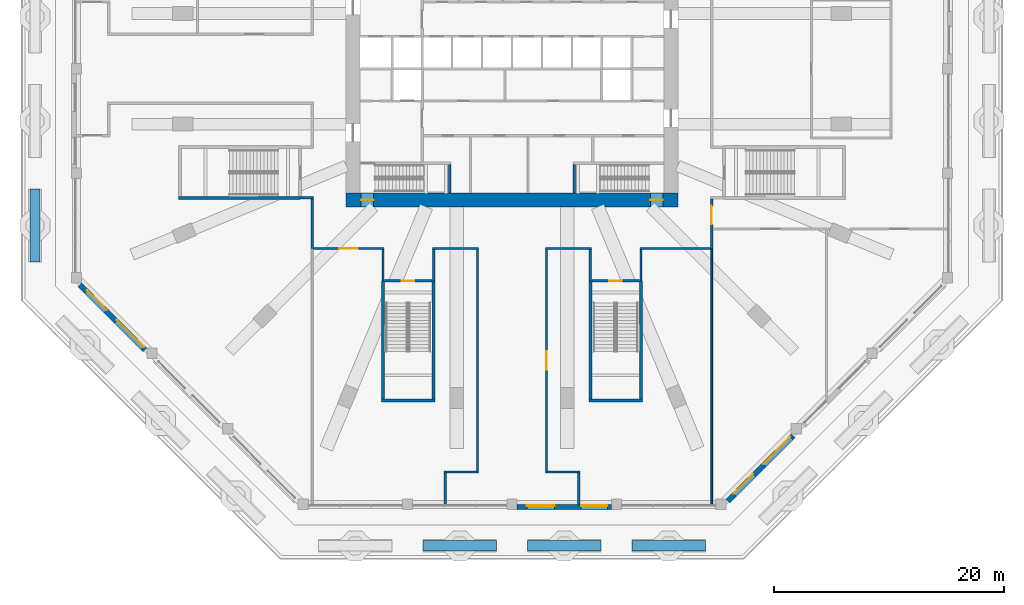
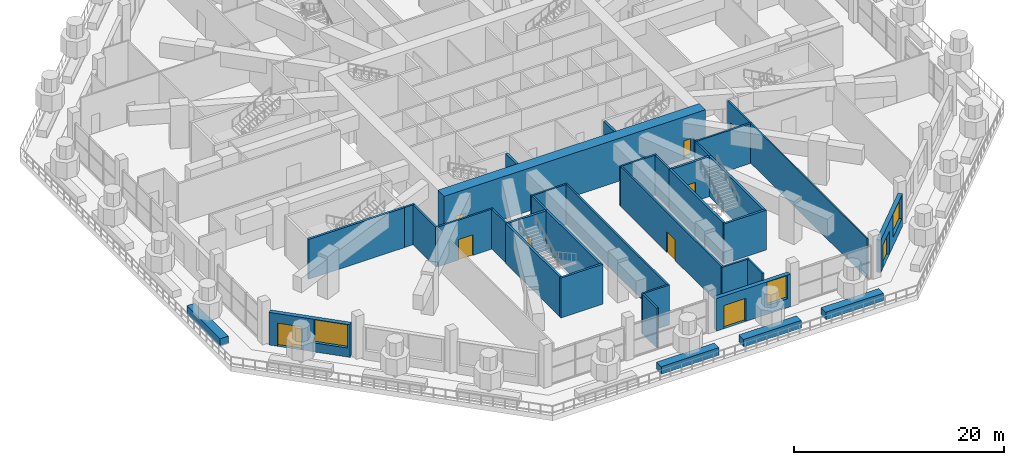
# One storey, part 14 of 25: 37 walls, 10 doors, 3 windows, 13 openings.
"""IFC4 building model written with IfcOpenShell, lengths in metres."""

from ifc_helpers import new_model, si_unit, direction, frame, frame_2d, origin, place, context, subcontext, project, spatial, rectangle, extrude, material, layer, layer_set, type_object, element, fill, save


model = new_model("IFC4")

# Units and contexts
model_context = context("Model", 3, precision=1e-05, world=origin(), true_north=direction((0.0, 1.0)))
body_context = subcontext(model_context, "Body", "Model", "MODEL_VIEW")
ifc_project = project(units=[si_unit("LENGTHUNIT", "METRE"), si_unit("AREAUNIT", "SQUARE_METRE"), si_unit("VOLUMEUNIT", "CUBIC_METRE"), si_unit("PLANEANGLEUNIT", "RADIAN"), si_unit("MASSUNIT", "GRAM", prefix="KILO")], contexts=[model_context])

# Site, building, storey
site_placement = place(None, origin())
site = spatial("IfcSite", under=ifc_project, at=site_placement, CompositionType="ELEMENT")
building_placement = place(site_placement, origin())
building = spatial("IfcBuilding", under=site, at=building_placement, Name="Msitu Wima Residences", CompositionType="ELEMENT")
storey_placement = place(building_placement, frame((0.0, 0.0, 11.0)))
storey = spatial("IfcBuildingStorey", under=building, at=storey_placement, Name="L02", CompositionType="ELEMENT", Elevation=11.0)

# Wall, openings, door, window
ifc_material_1 = material(Name="Brick (red buff mix), cavity wall of two leaves", Category="masonry")
ifc_layer_1 = layer(ifc_material_1, 0.449951171875)
ifc_layer_set_1 = layer_set([ifc_layer_1], Name="Brick (red buff mix), cavity wall of two leaves")
wall_type_1 = type_object("IfcWallType", Name="Brick infill wall BW450 podium", PredefinedType="ELEMENTEDWALL", material=ifc_layer_set_1)
wall_1_placement = place(storey_placement, frame((-37.509033203125, -18.737060546875, 0.0), z_axis=(0.0, 0.0, 1.0), x_axis=(0.707106781187, -0.707106781187, 0.0)))
wall_1 = element("IfcWall", 1, at=wall_1_placement, inside=storey, type_object=wall_type_1, Name="Brick infill wall L02 SW0", PredefinedType="ELEMENTEDWALL", context=body_context, shape_type="SweptSolid", body=[
    extrude(rectangle(XDim=8.00048828125, YDim=0.449951171875, at=frame_2d((4.000244140625, 0.0))), origin(), (0.0, 0.0, 1.0), 3.800048828125),
])
opening_1_placement = place(wall_1_placement, frame((0.80029296875, 0.0, 0.0)))
opening_1 = element("IfcOpeningElement", 2, at=opening_1_placement, cuts=wall_1, Name="Opening D02.007", PredefinedType="OPENING", context=body_context, shape_type="SweptSolid", body=[
    extrude(rectangle(XDim=2.39990234375, YDim=2.699951171875, at=frame_2d((1.199951171875, 1.35009765625))), frame((0.0, 0.23486328125, 0.0), z_axis=(0.0, -1.0, 0.0), x_axis=(1.0, 0.0, 0.0)), (0.0, 0.0, 1.0), 0.469970703125),
])
opening_2_placement = place(wall_1_placement, frame((4.450439453125, 0.0, 1.050048828125)))
opening_2 = element("IfcOpeningElement", 3, at=opening_2_placement, cuts=wall_1, Name="Opening W02.021", PredefinedType="OPENING", context=body_context, shape_type="SweptSolid", body=[
    extrude(rectangle(XDim=3.300048828125, YDim=2.699951171875, at=frame_2d((1.64990234375, 1.35009765625))), frame((0.0, 0.23486328125, 0.0), z_axis=(0.0, -1.0, 0.0), x_axis=(1.0, 0.0, 0.0)), (0.0, 0.0, 1.0), 0.469970703125),
])
ifc_material_2 = material(Name="Anodised aluminium, bronze finish, clear low-emissivity double glazing", Category="aluminium")
door_type_1 = type_object("IfcDoorType", Name="Balcony door D2400x2700", OperationType="SLIDING_TO_LEFT", PredefinedType="DOOR", material=ifc_material_2)
door_1_placement = place(opening_1_placement, origin())
door_1 = element("IfcDoor", 4, at=door_1_placement, inside=storey, type_object=door_type_1, Name="Terrace door L02 SW0", OperationType="SINGLE_SWING_LEFT", OverallHeight=2.699951171875, OverallWidth=2.39990234375, PredefinedType="DOOR", context=body_context, shape_type="SweptSolid", body=[
    extrude(rectangle(XDim=2.39990234375, YDim=2.699951171875, at=frame_2d((1.199951171875, 1.35009765625))), frame((0.0, 0.1298828125, 0.0), z_axis=(0.0, -1.0, 0.0), x_axis=(1.0, 0.0, 0.0)), (0.0, 0.0, 1.0), 0.050048828125),
])
fill(opening_1, door_1)
window_type_1 = type_object("IfcWindowType", Name="Window W3300x2700", PartitioningType="DOUBLE_PANEL_VERTICAL", PredefinedType="WINDOW", material=ifc_material_2)
window_1_placement = place(opening_2_placement, origin())
window_1 = element("IfcWindow", 5, at=window_1_placement, inside=storey, type_object=window_type_1, Name="Window L02 SW0.2", OverallHeight=2.699951171875, OverallWidth=3.300048828125, PartitioningType="SINGLE_PANEL", PredefinedType="WINDOW", context=body_context, shape_type="SweptSolid", body=[
    extrude(rectangle(XDim=3.300048828125, YDim=2.699951171875, at=frame_2d((1.64990234375, 1.35009765625))), frame((0.0, 0.135009765625, 0.0), z_axis=(0.0, -1.0, 0.0), x_axis=(1.0, 0.0, 0.0)), (0.0, 0.0, 1.0), 0.06005859375),
])
fill(opening_2, window_1)

wall_2_placement = place(storey_placement, frame((0.449951171875, -38.02490234375, 0.0), z_axis=(0.0, 0.0, 1.0), x_axis=(1.0, 0.0, 0.0)))
wall_2 = element("IfcWall", 6, at=wall_2_placement, inside=storey, type_object=wall_type_1, Name="Brick infill wall L02 S2", PredefinedType="ELEMENTEDWALL", context=body_context, shape_type="SweptSolid", body=[
    extrude(rectangle(XDim=8.1640625, YDim=0.449951171875, at=frame_2d((4.08203125, 0.0))), origin(), (0.0, 0.0, 1.0), 3.800048828125),
])
opening_3_placement = place(wall_2_placement, frame((0.841064453125, 0.0, 0.0)))
opening_3 = element("IfcOpeningElement", 7, at=opening_3_placement, cuts=wall_2, Name="Opening D02.005", PredefinedType="OPENING", context=body_context, shape_type="SweptSolid", body=[
    extrude(rectangle(XDim=2.39990234375, YDim=2.699951171875, at=frame_2d((1.199951171875, 1.35009765625))), frame((0.0, 0.23486328125, 0.0), z_axis=(0.0, -1.0, 0.0), x_axis=(1.0, 0.0, 0.0)), (0.0, 0.0, 1.0), 0.469970703125),
])
opening_4_placement = place(wall_2_placement, frame((5.550048828125, 0.0, 1.050048828125)))
opening_4 = element("IfcOpeningElement", 8, at=opening_4_placement, cuts=wall_2, Name="Opening W02.015", PredefinedType="OPENING", context=body_context, shape_type="SweptSolid", body=[
    extrude(rectangle(XDim=2.280029296875, YDim=2.699951171875, at=frame_2d((1.14013671875, 1.35009765625))), frame((0.0, 0.23486328125, 0.0), z_axis=(0.0, -1.0, 0.0), x_axis=(1.0, 0.0, 0.0)), (0.0, 0.0, 1.0), 0.469970703125),
])
door_2_placement = place(opening_3_placement, origin())
door_2 = element("IfcDoor", 9, at=door_2_placement, inside=storey, type_object=door_type_1, Name="Terrace door L02 S2", OperationType="SINGLE_SWING_LEFT", OverallHeight=2.699951171875, OverallWidth=2.39990234375, PredefinedType="DOOR", context=body_context, shape_type="SweptSolid", body=[
    extrude(rectangle(XDim=2.39990234375, YDim=2.699951171875, at=frame_2d((1.199951171875, 1.35009765625))), frame((0.0, 0.1298828125, 0.0), z_axis=(0.0, -1.0, 0.0), x_axis=(1.0, 0.0, 0.0)), (0.0, 0.0, 1.0), 0.050048828125),
])
fill(opening_3, door_2)
window_type_2 = type_object("IfcWindowType", Name="Window W2280x2700", PartitioningType="DOUBLE_PANEL_VERTICAL", PredefinedType="WINDOW", material=ifc_material_2)
window_2_placement = place(opening_4_placement, origin())
window_2 = element("IfcWindow", 10, at=window_2_placement, inside=storey, type_object=window_type_2, Name="Window L02 S2.2b", OverallHeight=2.699951171875, OverallWidth=2.280029296875, PartitioningType="SINGLE_PANEL", PredefinedType="WINDOW", context=body_context, shape_type="SweptSolid", body=[
    extrude(rectangle(XDim=2.280029296875, YDim=2.699951171875, at=frame_2d((1.14013671875, 1.35009765625))), frame((0.0, 0.135009765625, 0.0), z_axis=(0.0, -1.0, 0.0), x_axis=(1.0, 0.0, 0.0)), (0.0, 0.0, 1.0), 0.06005859375),
])
fill(opening_4, window_2)

wall_3_placement = place(storey_placement, frame((18.737060546875, -37.509033203125, 0.0), z_axis=(0.0, 0.0, 1.0), x_axis=(0.707106781187, 0.707106781187, 0.0)))
wall_3 = element("IfcWall", 11, at=wall_3_placement, inside=storey, type_object=wall_type_1, Name="Brick infill wall L02 SE0", PredefinedType="ELEMENTEDWALL", context=body_context, shape_type="SweptSolid", body=[
    extrude(rectangle(XDim=8.00048828125, YDim=0.449951171875, at=frame_2d((4.000244140625, 0.0))), origin(), (0.0, 0.0, 1.0), 3.800048828125),
])
opening_5_placement = place(wall_3_placement, frame((0.80029296875, 0.0, 0.0)))
opening_5 = element("IfcOpeningElement", 12, at=opening_5_placement, cuts=wall_3, Name="Opening D02.006", PredefinedType="OPENING", context=body_context, shape_type="SweptSolid", body=[
    extrude(rectangle(XDim=2.39990234375, YDim=2.699951171875, at=frame_2d((1.199951171875, 1.35009765625))), frame((0.0, 0.23486328125, 0.0), z_axis=(0.0, -1.0, 0.0), x_axis=(1.0, 0.0, 0.0)), (0.0, 0.0, 1.0), 0.469970703125),
])
opening_6_placement = place(wall_3_placement, frame((4.450439453125, 0.0, 1.050048828125)))
opening_6 = element("IfcOpeningElement", 13, at=opening_6_placement, cuts=wall_3, Name="Opening W02.016", PredefinedType="OPENING", context=body_context, shape_type="SweptSolid", body=[
    extrude(rectangle(XDim=3.300048828125, YDim=2.699951171875, at=frame_2d((1.64990234375, 1.35009765625))), frame((0.0, 0.23486328125, 0.0), z_axis=(0.0, -1.0, 0.0), x_axis=(1.0, 0.0, 0.0)), (0.0, 0.0, 1.0), 0.469970703125),
])
door_3_placement = place(opening_5_placement, origin())
door_3 = element("IfcDoor", 14, at=door_3_placement, inside=storey, type_object=door_type_1, Name="Terrace door L02 SE0", OperationType="SINGLE_SWING_LEFT", OverallHeight=2.699951171875, OverallWidth=2.39990234375, PredefinedType="DOOR", context=body_context, shape_type="SweptSolid", body=[
    extrude(rectangle(XDim=2.39990234375, YDim=2.699951171875, at=frame_2d((1.199951171875, 1.35009765625))), frame((0.0, 0.1298828125, 0.0), z_axis=(0.0, -1.0, 0.0), x_axis=(1.0, 0.0, 0.0)), (0.0, 0.0, 1.0), 0.050048828125),
])
fill(opening_5, door_3)
window_3_placement = place(opening_6_placement, origin())
window_3 = element("IfcWindow", 15, at=window_3_placement, inside=storey, type_object=window_type_1, Name="Window L02 SE0.2", OverallHeight=2.699951171875, OverallWidth=3.300048828125, PartitioningType="SINGLE_PANEL", PredefinedType="WINDOW", context=body_context, shape_type="SweptSolid", body=[
    extrude(rectangle(XDim=3.300048828125, YDim=2.699951171875, at=frame_2d((1.64990234375, 1.35009765625))), frame((0.0, 0.135009765625, 0.0), z_axis=(0.0, -1.0, 0.0), x_axis=(1.0, 0.0, 0.0)), (0.0, 0.0, 1.0), 0.06005859375),
])
fill(opening_6, window_3)

# Wall, openings, doors
ifc_material_3 = material(Name="Concrete C80/95", Category="concrete")
ifc_layer_2 = layer(ifc_material_3, 1.199951171875)
ifc_layer_set_2 = layer_set([ifc_layer_2], Name="Concrete C80/95")
wall_type_2 = type_object("IfcWallType", Name="Core wall CW1200 C80/95", PredefinedType="SHEAR", material=ifc_layer_set_2)
wall_4_placement = place(storey_placement, frame((-14.39990234375, -11.39990234375, 0.0), z_axis=(0.0, 0.0, 1.0), x_axis=(1.0, 0.0, 0.0)))
wall_4 = element("IfcWall", 16, at=wall_4_placement, inside=storey, type_object=wall_type_2, Name="Core wall", PredefinedType="SHEAR", context=body_context, shape_type="SweptSolid", body=[
    extrude(rectangle(XDim=28.7998046875, YDim=1.199951171875, at=frame_2d((14.39990234375, 0.0))), origin(), (0.0, 0.0, 1.0), 5.0),
])
opening_7_placement = place(wall_4_placement, frame((1.300048828125, 0.0, 0.0)))
opening_7 = element("IfcOpeningElement", 17, at=opening_7_placement, cuts=wall_4, Name="Opening D02.065", PredefinedType="OPENING", context=body_context, shape_type="SweptSolid", body=[
    extrude(rectangle(XDim=1.10009765625, YDim=2.199951171875, at=frame_2d((0.550048828125, 1.10009765625))), frame((0.0, 0.60986328125, 0.0), z_axis=(0.0, -1.0, 0.0), x_axis=(1.0, 0.0, 0.0)), (0.0, 0.0, 1.0), 1.219970703125),
])
opening_8_placement = place(wall_4_placement, frame((26.39990234375, 0.0, 0.0)))
opening_8 = element("IfcOpeningElement", 18, at=opening_8_placement, cuts=wall_4, Name="Opening D02.067", PredefinedType="OPENING", context=body_context, shape_type="SweptSolid", body=[
    extrude(rectangle(XDim=1.10009765625, YDim=2.199951171875, at=frame_2d((0.550048828125, 1.10009765625))), frame((0.0, 0.60986328125, 0.0), z_axis=(0.0, -1.0, 0.0), x_axis=(1.0, 0.0, 0.0)), (0.0, 0.0, 1.0), 1.219970703125),
])
ifc_material_4 = material(Name="Steel door, fire resisting, panic bar", Category="steel")
door_type_2 = type_object("IfcDoorType", Name="Stair door D06 1100x2200", OperationType="SINGLE_SWING_LEFT", PredefinedType="DOOR", material=ifc_material_4)
door_4_placement = place(opening_7_placement, origin())
door_4 = element("IfcDoor", 19, at=door_4_placement, inside=storey, type_object=door_type_2, Name="Stair door", OperationType="SINGLE_SWING_LEFT", OverallHeight=2.199951171875, OverallWidth=1.10009765625, PredefinedType="DOOR", context=body_context, shape_type="SweptSolid", body=[
    extrude(rectangle(XDim=1.10009765625, YDim=2.199951171875, at=frame_2d((0.550048828125, 1.10009765625))), frame((0.0, 0.02490234375, 0.0), z_axis=(0.0, -1.0, 0.0), x_axis=(1.0, 0.0, 0.0)), (0.0, 0.0, 1.0), 0.050048828125),
])
fill(opening_7, door_4)
door_5_placement = place(opening_8_placement, origin())
door_5 = element("IfcDoor", 20, at=door_5_placement, inside=storey, type_object=door_type_2, Name="Stair door", OperationType="SINGLE_SWING_RIGHT", OverallHeight=2.199951171875, OverallWidth=1.10009765625, PredefinedType="DOOR", context=body_context, shape_type="SweptSolid", body=[
    extrude(rectangle(XDim=1.10009765625, YDim=2.199951171875, at=frame_2d((0.550048828125, 1.10009765625))), frame((0.0, 0.02490234375, 0.0), z_axis=(0.0, -1.0, 0.0), x_axis=(1.0, 0.0, 0.0)), (0.0, 0.0, 1.0), 0.050048828125),
])
fill(opening_8, door_5)

# Walls
ifc_material_5 = material(Name="Plaster")
ifc_layer_3 = layer(ifc_material_5, 0.011962890625, Name="Plaster")
ifc_material_6 = material(Name="Concrete blockwork", Category="masonry")
ifc_layer_4 = layer(ifc_material_6, 0.176025390625, Name="Concrete blockwork")
ifc_layer_5 = layer(ifc_material_5, 0.011962890625, Name="Plaster")
ifc_layer_set_3 = layer_set([ifc_layer_3, ifc_layer_4, ifc_layer_5], Name="Concrete blockwork")
wall_type_3 = type_object("IfcWallType", Name="Corridor wall FW200", PredefinedType="PARTITIONING", material=ifc_layer_set_3)
wall_5_placement = place(storey_placement, frame((-18.39990234375, -11.199951171875, 0.0), z_axis=(0.0, 0.0, 1.0), x_axis=(1.0, 0.0, 0.0)))
element("IfcWall", 21, at=wall_5_placement, inside=storey, type_object=wall_type_3, Name="Corridor wall", PredefinedType="PARTITIONING", context=body_context, shape_type="SweptSolid", body=[
    extrude(rectangle(XDim=1.171875, YDim=0.199951171875, at=frame_2d((0.5859375, 0.0))), origin(), (0.0, 0.0, 1.0), 4.64990234375),
])
wall_6_placement = place(storey_placement, frame((-17.327880859375, -15.60009765625, 0.0), z_axis=(0.0, 0.0, 1.0), x_axis=(0.0, 1.0, 0.0)))
element("IfcWall", 22, at=wall_6_placement, inside=storey, type_object=wall_type_3, Name="Corridor wall", PredefinedType="PARTITIONING", context=body_context, shape_type="SweptSolid", body=[
    extrude(rectangle(XDim=4.300048828125, YDim=0.199951171875, at=frame_2d((2.14990234375, 0.0))), origin(), (0.0, 0.0, 1.0), 4.64990234375),
])

# Wall, opening, door
wall_7_placement = place(storey_placement, frame((-17.22802734375, -15.60009765625, 0.0), z_axis=(0.0, 0.0, 1.0), x_axis=(1.0, 0.0, 0.0)))
wall_7 = element("IfcWall", 23, at=wall_7_placement, inside=storey, type_object=wall_type_3, Name="Corridor wall", PredefinedType="PARTITIONING", context=body_context, shape_type="SweptSolid", body=[
    extrude(rectangle(XDim=6.1279296875, YDim=0.199951171875, at=frame_2d((3.06396484375, 0.0))), origin(), (0.0, 0.0, 1.0), 4.64990234375),
])
opening_9_placement = place(wall_7_placement, frame((2.25, 0.0, 0.0)))
opening_9 = element("IfcOpeningElement", 24, at=opening_9_placement, cuts=wall_7, Name="Opening D02.041", PredefinedType="OPENING", context=body_context, shape_type="SweptSolid", body=[
    extrude(rectangle(XDim=1.60009765625, YDim=2.39990234375, at=frame_2d((0.800048828125, 1.199951171875))), frame((0.0, 0.10986328125, 0.0), z_axis=(0.0, -1.0, 0.0), x_axis=(1.0, 0.0, 0.0)), (0.0, 0.0, 1.0), 0.219970703125),
])
ifc_material_7 = material(Name="Black aluminium glazed door", Category="aluminium")
door_type_3 = type_object("IfcDoorType", Name="Amenity door D10 1600x2400", OperationType="DOUBLE_DOOR_SINGLE_SWING", PredefinedType="DOOR", material=ifc_material_7)
door_6_placement = place(opening_9_placement, origin())
door_6 = element("IfcDoor", 25, at=door_6_placement, inside=storey, type_object=door_type_3, Name="Amenity door", OperationType="DOUBLE_DOOR_SINGLE_SWING", OverallHeight=2.39990234375, OverallWidth=1.60009765625, PredefinedType="DOOR", context=body_context, shape_type="SweptSolid", body=[
    extrude(rectangle(XDim=1.60009765625, YDim=2.39990234375, at=frame_2d((0.800048828125, 1.199951171875))), frame((0.0, 0.02490234375, 0.0), z_axis=(0.0, -1.0, 0.0), x_axis=(1.0, 0.0, 0.0)), (0.0, 0.0, 1.0), 0.050048828125),
])
fill(opening_9, door_6)

# Walls
for number, where, z_axis, x_axis, name in (
    (26, (-11.199951171875, -18.39990234375, 0.0), (0.0, 0.0, 1.0), (0.0, 1.0, 0.0), "Corridor wall"),
    (27, (-6.800048828125, -18.39990234375, 0.0), (0.0, 0.0, 1.0), (0.0, 1.0, 0.0), "Corridor wall"),
):
    element("IfcWall", number, at=place(storey_placement, frame(where, z_axis=z_axis, x_axis=x_axis)), inside=storey, type_object=wall_type_3, Name=name, PredefinedType="PARTITIONING", context=body_context, shape_type="SweptSolid", body=[
        extrude(rectangle(XDim=2.699951171875, YDim=0.199951171875, at=frame_2d((1.35009765625, 0.0))), origin(), (0.0, 0.0, 1.0), 4.64990234375),
    ])
wall_8_placement = place(storey_placement, frame((-6.89990234375, -15.60009765625, 0.0), z_axis=(0.0, 0.0, 1.0), x_axis=(1.0, 0.0, 0.0)))
element("IfcWall", 28, at=wall_8_placement, inside=storey, type_object=wall_type_3, Name="Corridor wall", PredefinedType="PARTITIONING", context=body_context, shape_type="SweptSolid", body=[
    extrude(rectangle(XDim=4.0, YDim=0.199951171875, at=frame_2d((2.0, 0.0))), origin(), (0.0, 0.0, 1.0), 4.64990234375),
])
wall_9_placement = place(storey_placement, frame((-5.800048828125, -37.85498046875, 0.0), z_axis=(0.0, 0.0, 1.0), x_axis=(0.0, 1.0, 0.0)))
element("IfcWall", 29, at=wall_9_placement, inside=storey, type_object=wall_type_3, Name="Corridor wall", PredefinedType="PARTITIONING", context=body_context, shape_type="SweptSolid", body=[
    extrude(rectangle(XDim=2.7548828125, YDim=0.199951171875, at=frame_2d((1.37744140625, 0.0))), origin(), (0.0, 0.0, 1.0), 4.64990234375),
])
wall_10_placement = place(storey_placement, frame((-5.89990234375, -35.0, 0.0), z_axis=(0.0, 0.0, 1.0), x_axis=(1.0, 0.0, 0.0)))
element("IfcWall", 30, at=wall_10_placement, inside=storey, type_object=wall_type_3, Name="Corridor wall", PredefinedType="PARTITIONING", context=body_context, shape_type="SweptSolid", body=[
    extrude(rectangle(XDim=3.0, YDim=0.199951171875, at=frame_2d((1.5, 0.0))), origin(), (0.0, 0.0, 1.0), 4.64990234375),
])
wall_11_placement = place(storey_placement, frame((-3.0, -34.89990234375, 0.0), z_axis=(0.0, 0.0, 1.0), x_axis=(0.0, 1.0, 0.0)))
element("IfcWall", 31, at=wall_11_placement, inside=storey, type_object=wall_type_3, Name="Corridor wall", PredefinedType="PARTITIONING", context=body_context, shape_type="SweptSolid", body=[
    extrude(rectangle(XDim=19.199951171875, YDim=0.199951171875, at=frame_2d((9.60009765625, 0.0))), origin(), (0.0, 0.0, 1.0), 4.64990234375),
])

# Wall, opening, door
wall_12_placement = place(storey_placement, frame((3.0, -34.89990234375, 0.0), z_axis=(0.0, 0.0, 1.0), x_axis=(0.0, 1.0, 0.0)))
wall_12 = element("IfcWall", 32, at=wall_12_placement, inside=storey, type_object=wall_type_3, Name="Corridor wall", PredefinedType="PARTITIONING", context=body_context, shape_type="SweptSolid", body=[
    extrude(rectangle(XDim=19.199951171875, YDim=0.199951171875, at=frame_2d((9.60009765625, 0.0))), origin(), (0.0, 0.0, 1.0), 4.64990234375),
])
opening_10_placement = place(wall_12_placement, frame((8.800048828125, 0.0, 0.0)))
opening_10 = element("IfcOpeningElement", 33, at=opening_10_placement, cuts=wall_12, Name="Opening D02.042", PredefinedType="OPENING", context=body_context, shape_type="SweptSolid", body=[
    extrude(rectangle(XDim=1.60009765625, YDim=2.39990234375, at=frame_2d((0.800048828125, 1.199951171875))), frame((0.0, 0.10986328125, 0.0), z_axis=(0.0, -1.0, 0.0), x_axis=(1.0, 0.0, 0.0)), (0.0, 0.0, 1.0), 0.219970703125),
])
door_7_placement = place(opening_10_placement, origin())
door_7 = element("IfcDoor", 34, at=door_7_placement, inside=storey, type_object=door_type_3, Name="Amenity door", OperationType="DOUBLE_DOOR_SINGLE_SWING", OverallHeight=2.39990234375, OverallWidth=1.60009765625, PredefinedType="DOOR", context=body_context, shape_type="SweptSolid", body=[
    extrude(rectangle(XDim=1.60009765625, YDim=2.39990234375, at=frame_2d((0.800048828125, 1.199951171875))), frame((0.0, 0.02490234375, 0.0), z_axis=(0.0, -1.0, 0.0), x_axis=(1.0, 0.0, 0.0)), (0.0, 0.0, 1.0), 0.050048828125),
])
fill(opening_10, door_7)

# Walls
wall_13_placement = place(storey_placement, frame((2.89990234375, -35.0, 0.0), z_axis=(0.0, 0.0, 1.0), x_axis=(1.0, 0.0, 0.0)))
element("IfcWall", 35, at=wall_13_placement, inside=storey, type_object=wall_type_3, Name="Corridor wall", PredefinedType="PARTITIONING", context=body_context, shape_type="SweptSolid", body=[
    extrude(rectangle(XDim=3.0, YDim=0.199951171875, at=frame_2d((1.5, 0.0))), origin(), (0.0, 0.0, 1.0), 4.64990234375),
])
wall_14_placement = place(storey_placement, frame((2.89990234375, -15.60009765625, 0.0), z_axis=(0.0, 0.0, 1.0), x_axis=(1.0, 0.0, 0.0)))
element("IfcWall", 36, at=wall_14_placement, inside=storey, type_object=wall_type_3, Name="Corridor wall", PredefinedType="PARTITIONING", context=body_context, shape_type="SweptSolid", body=[
    extrude(rectangle(XDim=4.0, YDim=0.199951171875, at=frame_2d((2.0, 0.0))), origin(), (0.0, 0.0, 1.0), 4.64990234375),
])
wall_15_placement = place(storey_placement, frame((5.800048828125, -37.85498046875, 0.0), z_axis=(0.0, 0.0, 1.0), x_axis=(0.0, 1.0, 0.0)))
element("IfcWall", 37, at=wall_15_placement, inside=storey, type_object=wall_type_3, Name="Corridor wall", PredefinedType="PARTITIONING", context=body_context, shape_type="SweptSolid", body=[
    extrude(rectangle(XDim=2.7548828125, YDim=0.199951171875, at=frame_2d((1.37744140625, 0.0))), origin(), (0.0, 0.0, 1.0), 4.64990234375),
])
for number, where, z_axis, x_axis, name in (
    (38, (6.800048828125, -18.39990234375, 0.0), (0.0, 0.0, 1.0), (0.0, 1.0, 0.0), "Corridor wall"),
    (39, (11.199951171875, -18.39990234375, 0.0), (0.0, 0.0, 1.0), (0.0, 1.0, 0.0), "Corridor wall"),
):
    element("IfcWall", number, at=place(storey_placement, frame(where, z_axis=z_axis, x_axis=x_axis)), inside=storey, type_object=wall_type_3, Name=name, PredefinedType="PARTITIONING", context=body_context, shape_type="SweptSolid", body=[
        extrude(rectangle(XDim=2.699951171875, YDim=0.199951171875, at=frame_2d((1.35009765625, 0.0))), origin(), (0.0, 0.0, 1.0), 4.64990234375),
    ])
wall_16_placement = place(storey_placement, frame((11.10009765625, -15.60009765625, 0.0), z_axis=(0.0, 0.0, 1.0), x_axis=(1.0, 0.0, 0.0)))
element("IfcWall", 40, at=wall_16_placement, inside=storey, type_object=wall_type_3, Name="Corridor wall", PredefinedType="PARTITIONING", context=body_context, shape_type="SweptSolid", body=[
    extrude(rectangle(XDim=6.1279296875, YDim=0.199951171875, at=frame_2d((3.06396484375, 0.0))), origin(), (0.0, 0.0, 1.0), 4.64990234375),
])

# Wall, opening, door
wall_17_placement = place(storey_placement, frame((17.327880859375, -15.60009765625, 0.0), z_axis=(0.0, 0.0, 1.0), x_axis=(0.0, 1.0, 0.0)))
wall_17 = element("IfcWall", 41, at=wall_17_placement, inside=storey, type_object=wall_type_3, Name="Corridor wall", PredefinedType="PARTITIONING", context=body_context, shape_type="SweptSolid", body=[
    extrude(rectangle(XDim=4.300048828125, YDim=0.199951171875, at=frame_2d((2.14990234375, 0.0))), origin(), (0.0, 0.0, 1.0), 4.64990234375),
])
opening_11_placement = place(wall_17_placement, frame((2.10009765625, 0.0, 0.0)))
opening_11 = element("IfcOpeningElement", 42, at=opening_11_placement, cuts=wall_17, Name="Opening D02.028", PredefinedType="OPENING", context=body_context, shape_type="SweptSolid", body=[
    extrude(rectangle(XDim=1.60009765625, YDim=2.39990234375, at=frame_2d((0.800048828125, 1.199951171875))), frame((0.0, 0.10986328125, 0.0), z_axis=(0.0, -1.0, 0.0), x_axis=(1.0, 0.0, 0.0)), (0.0, 0.0, 1.0), 0.219970703125),
])
door_8_placement = place(opening_11_placement, origin())
door_8 = element("IfcDoor", 43, at=door_8_placement, inside=storey, type_object=door_type_3, Name="Amenity door", OperationType="DOUBLE_DOOR_SINGLE_SWING", OverallHeight=2.39990234375, OverallWidth=1.60009765625, PredefinedType="DOOR", context=body_context, shape_type="SweptSolid", body=[
    extrude(rectangle(XDim=1.60009765625, YDim=2.39990234375, at=frame_2d((0.800048828125, 1.199951171875))), frame((0.0, 0.02490234375, 0.0), z_axis=(0.0, -1.0, 0.0), x_axis=(1.0, 0.0, 0.0)), (0.0, 0.0, 1.0), 0.050048828125),
])
fill(opening_11, door_8)

# Walls
ifc_layer_6 = layer(ifc_material_5, 0.011962890625, Name="Plaster")
ifc_layer_7 = layer(ifc_material_6, 0.1259765625, Name="Concrete blockwork")
ifc_layer_8 = layer(ifc_material_5, 0.011962890625, Name="Plaster")
ifc_layer_set_4 = layer_set([ifc_layer_6, ifc_layer_7, ifc_layer_8], Name="Concrete blockwork")
wall_type_4 = type_object("IfcWallType", Name="Partition PW150", PredefinedType="PARTITIONING", material=ifc_layer_set_4)
wall_18_placement = place(storey_placement, frame((17.327880859375, -37.85498046875, 0.0), z_axis=(0.0, 0.0, 1.0), x_axis=(0.0, 1.0, 0.0)))
element("IfcWall", 44, at=wall_18_placement, inside=storey, type_object=wall_type_4, Name="Partition", PredefinedType="PARTITIONING", context=body_context, shape_type="SweptSolid", body=[
    extrude(rectangle(XDim=22.2548828125, YDim=0.14990234375, at=frame_2d((11.12744140625, 0.0))), origin(), (0.0, 0.0, 1.0), 4.64990234375),
])
ifc_material_8 = material(Name="Concrete C50/60", Category="concrete")
ifc_layer_9 = layer(ifc_material_8, 0.25)
ifc_layer_set_5 = layer_set([ifc_layer_9], Name="Concrete C50/60")
wall_type_5 = type_object("IfcWallType", Name="Stair enclosure wall SW250", PredefinedType="SHEAR", material=ifc_layer_set_5)
wall_19_placement = place(storey_placement, frame((-28.925048828125, -11.199951171875, 0.0), z_axis=(0.0, 0.0, 1.0), x_axis=(1.0, 0.0, 0.0)))
element("IfcWall", 45, at=wall_19_placement, inside=storey, type_object=wall_type_5, Name="Stair enclosure wall", PredefinedType="SHEAR", context=body_context, shape_type="SweptSolid", body=[
    extrude(rectangle(XDim=10.525146484375, YDim=0.25, at=frame_2d((5.2626953125, 0.0))), origin(), (0.0, 0.0, 1.0), 4.64990234375),
])
wall_20_placement = place(storey_placement, frame((-11.199951171875, -28.675048828125, 0.0), z_axis=(0.0, 0.0, 1.0), x_axis=(0.0, 1.0, 0.0)))
element("IfcWall", 46, at=wall_20_placement, inside=storey, type_object=wall_type_5, Name="Stair enclosure wall", PredefinedType="SHEAR", context=body_context, shape_type="SweptSolid", body=[
    extrude(rectangle(XDim=10.275146484375, YDim=0.25, at=frame_2d((5.1376953125, 0.0))), origin(), (0.0, 0.0, 1.0), 4.64990234375),
])
wall_21_placement = place(storey_placement, frame((-11.324951171875, -28.800048828125, 0.0), z_axis=(0.0, 0.0, 1.0), x_axis=(1.0, 0.0, 0.0)))
element("IfcWall", 47, at=wall_21_placement, inside=storey, type_object=wall_type_5, Name="Stair enclosure wall", PredefinedType="SHEAR", context=body_context, shape_type="SweptSolid", body=[
    extrude(rectangle(XDim=4.64990234375, YDim=0.25, at=frame_2d((2.324951171875, 0.0))), origin(), (0.0, 0.0, 1.0), 4.64990234375),
])

# Wall, opening, door
wall_22_placement = place(storey_placement, frame((-11.074951171875, -18.39990234375, 0.0), z_axis=(0.0, 0.0, 1.0), x_axis=(1.0, 0.0, 0.0)))
wall_22 = element("IfcWall", 48, at=wall_22_placement, inside=storey, type_object=wall_type_5, Name="Stair enclosure wall", PredefinedType="SHEAR", context=body_context, shape_type="SweptSolid", body=[
    extrude(rectangle(XDim=4.14990234375, YDim=0.25, at=frame_2d((2.074951171875, 0.0))), origin(), (0.0, 0.0, 1.0), 4.64990234375),
])
opening_12_placement = place(wall_22_placement, frame((1.5, 0.0, 0.0)))
opening_12 = element("IfcOpeningElement", 49, at=opening_12_placement, cuts=wall_22, Name="Opening D02.059", PredefinedType="OPENING", context=body_context, shape_type="SweptSolid", body=[
    extrude(rectangle(XDim=1.10009765625, YDim=2.199951171875, at=frame_2d((0.550048828125, 1.10009765625))), frame((0.0, 0.135009765625, 0.0), z_axis=(0.0, -1.0, 0.0), x_axis=(1.0, 0.0, 0.0)), (0.0, 0.0, 1.0), 0.27001953125),
])
door_type_4 = type_object("IfcDoorType", Name="Stair door D13 1100x2200", OperationType="SINGLE_SWING_LEFT", PredefinedType="DOOR", material=ifc_material_4)
door_9_placement = place(opening_12_placement, origin())
door_9 = element("IfcDoor", 50, at=door_9_placement, inside=storey, type_object=door_type_4, Name="Stair door", OperationType="SINGLE_SWING_RIGHT", OverallHeight=2.199951171875, OverallWidth=1.10009765625, PredefinedType="DOOR", context=body_context, shape_type="SweptSolid", body=[
    extrude(rectangle(XDim=1.10009765625, YDim=2.199951171875, at=frame_2d((0.550048828125, 1.10009765625))), frame((0.0, 0.02490234375, 0.0), z_axis=(0.0, -1.0, 0.0), x_axis=(1.0, 0.0, 0.0)), (0.0, 0.0, 1.0), 0.050048828125),
])
fill(opening_12, door_9)

# Walls
wall_23_placement = place(storey_placement, frame((-6.800048828125, -28.675048828125, 0.0), z_axis=(0.0, 0.0, 1.0), x_axis=(0.0, 1.0, 0.0)))
element("IfcWall", 51, at=wall_23_placement, inside=storey, type_object=wall_type_5, Name="Stair enclosure wall", PredefinedType="SHEAR", context=body_context, shape_type="SweptSolid", body=[
    extrude(rectangle(XDim=10.275146484375, YDim=0.25, at=frame_2d((5.1376953125, 0.0))), origin(), (0.0, 0.0, 1.0), 4.64990234375),
])
for number, where, z_axis, x_axis, name in (
    (52, (-5.39990234375, -10.77001953125, 0.0), (0.0, 0.0, 1.0), (0.0, 1.0, 0.0), "Stair enclosure wall"),
    (53, (5.39990234375, -10.77001953125, 0.0), (0.0, 0.0, 1.0), (0.0, 1.0, 0.0), "Stair enclosure wall"),
):
    element("IfcWall", number, at=place(storey_placement, frame(where, z_axis=z_axis, x_axis=x_axis)), inside=storey, type_object=wall_type_5, Name=name, PredefinedType="SHEAR", context=body_context, shape_type="SweptSolid", body=[
        extrude(rectangle(XDim=2.445068359375, YDim=0.25, at=frame_2d((1.22265625, 0.0))), origin(), (0.0, 0.0, 1.0), 4.64990234375),
    ])
wall_24_placement = place(storey_placement, frame((6.800048828125, -28.675048828125, 0.0), z_axis=(0.0, 0.0, 1.0), x_axis=(0.0, 1.0, 0.0)))
element("IfcWall", 54, at=wall_24_placement, inside=storey, type_object=wall_type_5, Name="Stair enclosure wall", PredefinedType="SHEAR", context=body_context, shape_type="SweptSolid", body=[
    extrude(rectangle(XDim=10.275146484375, YDim=0.25, at=frame_2d((5.1376953125, 0.0))), origin(), (0.0, 0.0, 1.0), 4.64990234375),
])
wall_25_placement = place(storey_placement, frame((6.675048828125, -28.800048828125, 0.0), z_axis=(0.0, 0.0, 1.0), x_axis=(1.0, 0.0, 0.0)))
element("IfcWall", 55, at=wall_25_placement, inside=storey, type_object=wall_type_5, Name="Stair enclosure wall", PredefinedType="SHEAR", context=body_context, shape_type="SweptSolid", body=[
    extrude(rectangle(XDim=4.64990234375, YDim=0.25, at=frame_2d((2.324951171875, 0.0))), origin(), (0.0, 0.0, 1.0), 4.64990234375),
])

# Wall, opening, door
wall_26_placement = place(storey_placement, frame((6.925048828125, -18.39990234375, 0.0), z_axis=(0.0, 0.0, 1.0), x_axis=(1.0, 0.0, 0.0)))
wall_26 = element("IfcWall", 56, at=wall_26_placement, inside=storey, type_object=wall_type_5, Name="Stair enclosure wall", PredefinedType="SHEAR", context=body_context, shape_type="SweptSolid", body=[
    extrude(rectangle(XDim=4.14990234375, YDim=0.25, at=frame_2d((2.074951171875, 0.0))), origin(), (0.0, 0.0, 1.0), 4.64990234375),
])
opening_13_placement = place(wall_26_placement, frame((1.5, 0.0, 0.0)))
opening_13 = element("IfcOpeningElement", 57, at=opening_13_placement, cuts=wall_26, Name="Opening D02.058", PredefinedType="OPENING", context=body_context, shape_type="SweptSolid", body=[
    extrude(rectangle(XDim=1.10009765625, YDim=2.199951171875, at=frame_2d((0.550048828125, 1.10009765625))), frame((0.0, 0.135009765625, 0.0), z_axis=(0.0, -1.0, 0.0), x_axis=(1.0, 0.0, 0.0)), (0.0, 0.0, 1.0), 0.27001953125),
])
door_10_placement = place(opening_13_placement, origin())
door_10 = element("IfcDoor", 58, at=door_10_placement, inside=storey, type_object=door_type_4, Name="Stair door", OperationType="SINGLE_SWING_RIGHT", OverallHeight=2.199951171875, OverallWidth=1.10009765625, PredefinedType="DOOR", context=body_context, shape_type="SweptSolid", body=[
    extrude(rectangle(XDim=1.10009765625, YDim=2.199951171875, at=frame_2d((0.550048828125, 1.10009765625))), frame((0.0, 0.02490234375, 0.0), z_axis=(0.0, -1.0, 0.0), x_axis=(1.0, 0.0, 0.0)), (0.0, 0.0, 1.0), 0.050048828125),
])
fill(opening_13, door_10)

# Walls
wall_27_placement = place(storey_placement, frame((11.199951171875, -28.675048828125, 0.0), z_axis=(0.0, 0.0, 1.0), x_axis=(0.0, 1.0, 0.0)))
element("IfcWall", 59, at=wall_27_placement, inside=storey, type_object=wall_type_5, Name="Stair enclosure wall", PredefinedType="SHEAR", context=body_context, shape_type="SweptSolid", body=[
    extrude(rectangle(XDim=10.275146484375, YDim=0.25, at=frame_2d((5.1376953125, 0.0))), origin(), (0.0, 0.0, 1.0), 4.64990234375),
])
ifc_material_9 = material(Name="Facing brick")
ifc_layer_10 = layer(ifc_material_9, 0.06494140625, Name="Facing brick")
ifc_material_10 = material(Name="Concrete C40/50", Category="concrete")
ifc_layer_11 = layer(ifc_material_10, 0.381103515625, Name="Concrete C40/50")
ifc_material_11 = material(Name="Waterproofing membrane")
ifc_layer_12 = layer(ifc_material_11, 0.00390625, Name="Waterproofing membrane")
ifc_material_12 = material(Name="Planting soil and planting")
ifc_layer_13 = layer(ifc_material_12, 0.449951171875, Name="Planting soil and planting")
ifc_layer_set_6 = layer_set([ifc_layer_10, ifc_layer_11, ifc_layer_12, ifc_layer_13], Name="Concrete C40/50")
wall_type_6 = type_object("IfcWallType", Name="Terrace planter PLANTER PL900", PredefinedType="USERDEFINED", material=ifc_layer_set_6)
for number, where, z_axis, x_axis, name in (
    (60, (-41.39990234375, -10.4140625, 0.0), (0.0, 0.0, 1.0), (0.0, -1.0, 0.0), "Terrace planter L02 W3"),
    (61, (-7.7138671875, -41.39990234375, 0.0), (0.0, 0.0, 1.0), (1.0, 0.0, 0.0), "Terrace planter L02 S1"),
    (62, (1.35009765625, -41.39990234375, 0.0), (0.0, 0.0, 1.0), (1.0, 0.0, 0.0), "Terrace planter L02 S2"),
    (63, (10.4140625, -41.39990234375, 0.0), (0.0, 0.0, 1.0), (1.0, 0.0, 0.0), "Terrace planter L02 S3"),
):
    element("IfcWall", number, at=place(storey_placement, frame(where, z_axis=z_axis, x_axis=x_axis)), inside=storey, type_object=wall_type_6, Name=name, ObjectType="PLANTER", PredefinedType="USERDEFINED", context=body_context, shape_type="SweptSolid", body=[
        extrude(rectangle(XDim=6.36376953125, YDim=0.89990234375, at=frame_2d((3.181884765625, 0.0))), origin(), (0.0, 0.0, 1.0), 0.89990234375),
    ])

save(model, "model.ifc")
